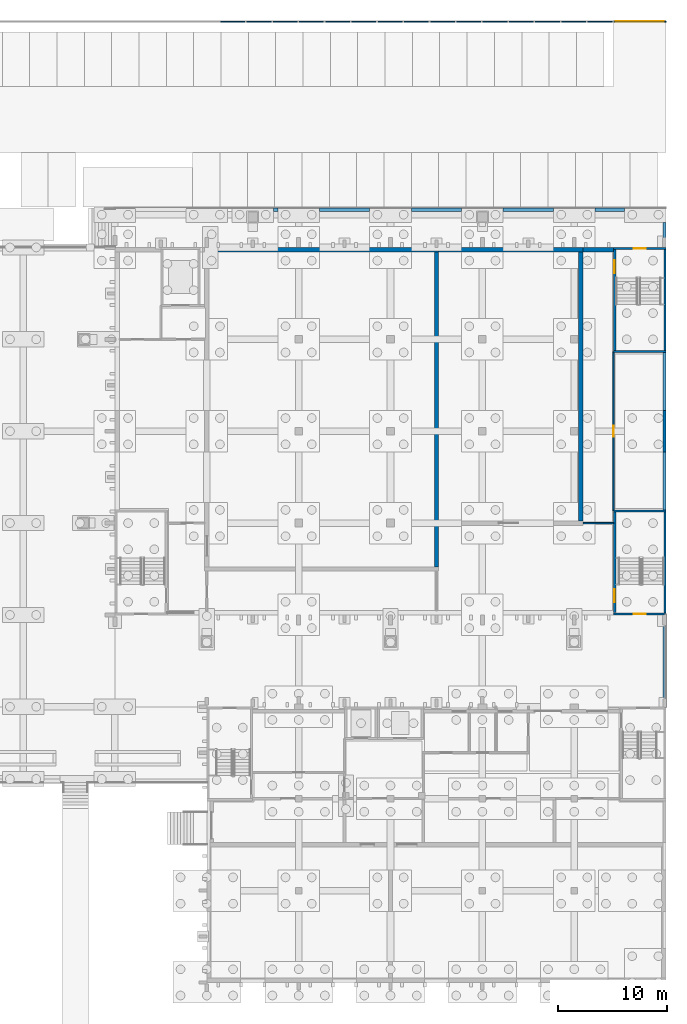
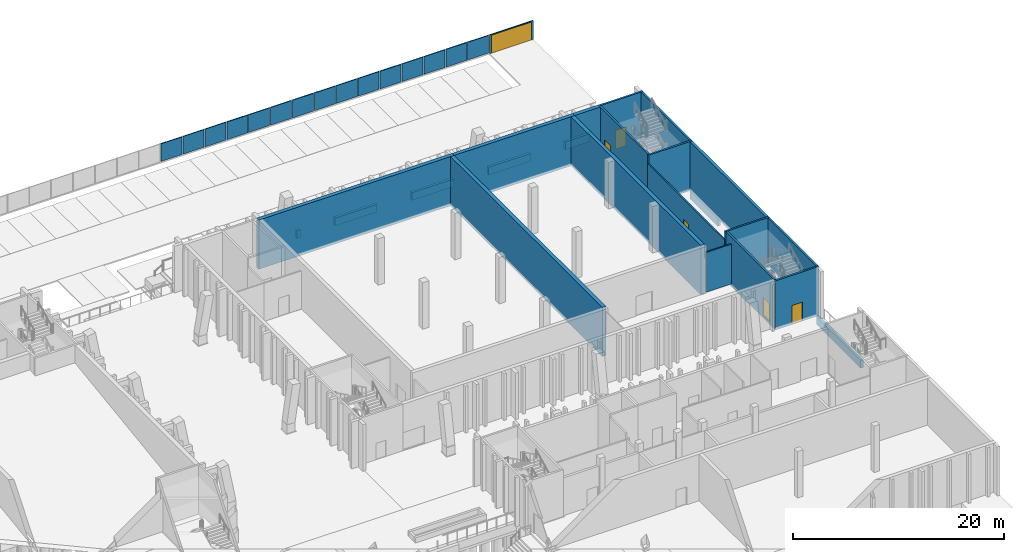
# One storey, part 57 of 129: 41 walls, 6 doors, 6 openings.
"""IFC4 building model written with IfcOpenShell, lengths in metres."""

from ifc_helpers import new_model, si_unit, direction, frame, frame_2d, origin, place, context, subcontext, project, spatial, rectangle, extrude, material, layer, layer_set, type_object, element, fill, save


model = new_model("IFC4")

# Units and contexts
model_context = context("Model", 3, precision=1e-05, world=origin(), true_north=direction((0.0, 1.0)))
body_context = subcontext(model_context, "Body", "Model", "MODEL_VIEW")
ifc_project = project(units=[si_unit("LENGTHUNIT", "METRE"), si_unit("AREAUNIT", "SQUARE_METRE"), si_unit("VOLUMEUNIT", "CUBIC_METRE"), si_unit("PLANEANGLEUNIT", "RADIAN"), si_unit("MASSUNIT", "GRAM", prefix="KILO")], contexts=[model_context])

# Site, building, storey
site_placement = place(None, origin())
site = spatial("IfcSite", under=ifc_project, at=site_placement, CompositionType="ELEMENT")
building_placement = place(site_placement, origin())
building = spatial("IfcBuilding", under=site, at=building_placement, Name="Kiln Court Media Centre", CompositionType="ELEMENT")
storey_placement = place(building_placement, origin())
storey = spatial("IfcBuildingStorey", under=building, at=storey_placement, Name="L00", CompositionType="ELEMENT", Elevation=0.0)

# Walls
ifc_material_1 = material(Name="Concrete C30/37", Category="concrete")
ifc_layer_1 = layer(ifc_material_1, 0.300048828125)
ifc_layer_set_1 = layer_set([ifc_layer_1], Name="Concrete C30/37 plinth wall 300")
wall_type_1 = type_object("IfcWallType", Name="Concrete C30/37 plinth wall 300", PredefinedType="SOLIDWALL", material=ifc_layer_set_1)
wall_1_placement = place(storey_placement, frame((167.849609375, 33.60009765625, -1.199951171875), z_axis=(0.0, 0.0, 1.0), x_axis=(0.0, -1.0, 0.0)))
element("IfcWall", 1, at=wall_1_placement, inside=storey, type_object=wall_type_1, Name="L00-W-1189", PredefinedType="SOLIDWALL", context=body_context, shape_type="SweptSolid", body=[
    extrude(rectangle(XDim=8.400146484375, YDim=0.300048828125, at=frame_2d((4.2001953125, 0.0))), origin(), (0.0, 0.0, 1.0), 0.89990234375),
])
for number, where, z_axis, x_axis, name in (
    (2, (167.849609375, 48.5, -1.199951171875), (0.0, 0.0, 1.0), (0.0, -1.0, 0.0), "L00-W-1190"),
    (3, (167.849609375, 57.60009765625, -1.199951171875), (0.0, 0.0, 1.0), (0.0, -1.0, 0.0), "L00-W-1191"),
):
    element("IfcWall", number, at=place(storey_placement, frame(where, z_axis=z_axis, x_axis=x_axis)), inside=storey, type_object=wall_type_1, Name=name, PredefinedType="SOLIDWALL", context=body_context, shape_type="SweptSolid", body=[
        extrude(rectangle(XDim=5.300048828125, YDim=0.300048828125, at=frame_2d((2.64990234375, 0.0))), origin(), (0.0, 0.0, 1.0), 0.89990234375),
    ])
wall_2_placement = place(storey_placement, frame((167.849609375, 69.5, -1.199951171875), z_axis=(0.0, 0.0, 1.0), x_axis=(0.0, -1.0, 0.0)))
element("IfcWall", 4, at=wall_2_placement, inside=storey, type_object=wall_type_1, Name="L00-W-1192", PredefinedType="SOLIDWALL", context=body_context, shape_type="SweptSolid", body=[
    extrude(rectangle(XDim=2.300048828125, YDim=0.300048828125, at=frame_2d((1.14990234375, 0.0))), origin(), (0.0, 0.0, 1.0), 0.89990234375),
])
wall_3_placement = place(storey_placement, frame((132.10009765625, 70.64990234375, -1.199951171875), z_axis=(0.0, 0.0, 1.0), x_axis=(1.0, 0.0, 0.0)))
element("IfcWall", 5, at=wall_3_placement, inside=storey, type_object=wall_type_1, Name="L00-W-1194", PredefinedType="SOLIDWALL", context=body_context, shape_type="SweptSolid", body=[
    extrude(rectangle(XDim=0.39990234375, YDim=0.300048828125, at=frame_2d((0.199951171875, 0.0))), origin(), (0.0, 0.0, 1.0), 0.89990234375),
])
wall_4_placement = place(storey_placement, frame((136.300048828125, 70.64990234375, -1.199951171875), z_axis=(0.0, 0.0, 1.0), x_axis=(1.0, 0.0, 0.0)))
element("IfcWall", 6, at=wall_4_placement, inside=storey, type_object=wall_type_1, Name="L00-W-1195", PredefinedType="SOLIDWALL", context=body_context, shape_type="SweptSolid", body=[
    extrude(rectangle(XDim=4.599853515625, YDim=0.300048828125, at=frame_2d((2.2998046875, 0.0))), origin(), (0.0, 0.0, 1.0), 0.89990234375),
])
wall_5_placement = place(storey_placement, frame((144.699951171875, 70.64990234375, -1.199951171875), z_axis=(0.0, 0.0, 1.0), x_axis=(1.0, 0.0, 0.0)))
element("IfcWall", 7, at=wall_5_placement, inside=storey, type_object=wall_type_1, Name="L00-W-1196", PredefinedType="SOLIDWALL", context=body_context, shape_type="SweptSolid", body=[
    extrude(rectangle(XDim=4.60009765625, YDim=0.300048828125, at=frame_2d((2.300048828125, 0.0))), origin(), (0.0, 0.0, 1.0), 0.89990234375),
])
wall_6_placement = place(storey_placement, frame((153.10009765625, 70.64990234375, -1.199951171875), z_axis=(0.0, 0.0, 1.0), x_axis=(1.0, 0.0, 0.0)))
element("IfcWall", 8, at=wall_6_placement, inside=storey, type_object=wall_type_1, Name="L00-W-1197", PredefinedType="SOLIDWALL", context=body_context, shape_type="SweptSolid", body=[
    extrude(rectangle(XDim=4.599853515625, YDim=0.300048828125, at=frame_2d((2.2998046875, 0.0))), origin(), (0.0, 0.0, 1.0), 0.89990234375),
])
wall_7_placement = place(storey_placement, frame((161.5, 70.64990234375, -1.199951171875), z_axis=(0.0, 0.0, 1.0), x_axis=(1.0, 0.0, 0.0)))
element("IfcWall", 9, at=wall_7_placement, inside=storey, type_object=wall_type_1, Name="L00-W-1198", PredefinedType="SOLIDWALL", context=body_context, shape_type="SweptSolid", body=[
    extrude(rectangle(XDim=2.699951171875, YDim=0.300048828125, at=frame_2d((1.35009765625, 0.0))), origin(), (0.0, 0.0, 1.0), 0.89990234375),
])
ifc_material_2 = material(Name="Concrete C40/50", Category="concrete")
ifc_layer_2 = layer(ifc_material_2, 0.39990234375)
ifc_layer_set_2 = layer_set([ifc_layer_2], Name="Concrete C40/50 auditorium wall 400")
wall_type_2 = type_object("IfcWallType", Name="Concrete C40/50 auditorium wall 400", PredefinedType="SHEAR", material=ifc_layer_set_2)
wall_8_placement = place(storey_placement, frame((160.39990234375, 67.0, -0.300048828125), z_axis=(0.0, 0.0, 1.0), x_axis=(1.0, 0.0, 0.0)))
element("IfcWall", 10, at=wall_8_placement, inside=storey, type_object=wall_type_2, Name="L00-W-1145", PredefinedType="SHEAR", context=body_context, shape_type="SweptSolid", body=[
    extrude(rectangle(XDim=2.800048828125, YDim=0.39990234375, at=frame_2d((1.39990234375, 0.0))), origin(), (0.0, 0.0, 1.0), 5.699951171875),
])
ifc_material_3 = material(Name="Concrete C40/50", Category="concrete")
ifc_layer_3 = layer(ifc_material_3, 0.300048828125)
ifc_layer_set_3 = layer_set([ifc_layer_3], Name="Concrete C40/50 party wall 300")
wall_type_3 = type_object("IfcWallType", Name="Concrete C40/50 party wall 300", PredefinedType="SOLIDWALL", material=ifc_layer_set_3)
wall_9_placement = place(storey_placement, frame((167.849609375, 57.60009765625, -0.300048828125), z_axis=(0.0, 0.0, 1.0), x_axis=(0.0, -1.0, 0.0)))
element("IfcWall", 11, at=wall_9_placement, inside=storey, type_object=wall_type_3, Name="L00-W-1139", PredefinedType="SOLIDWALL", context=body_context, shape_type="SweptSolid", body=[
    extrude(rectangle(XDim=14.400146484375, YDim=0.300048828125, at=frame_2d((7.2001953125, 0.0))), origin(), (0.0, 0.0, 1.0), 5.699951171875),
])

# Wall, opening, door
ifc_material_4 = material(Name="Concrete C40/50", Category="concrete")
ifc_layer_4 = layer(ifc_material_4, 0.199951171875)
ifc_layer_set_4 = layer_set([ifc_layer_4], Name="Concrete C40/50 shear wall 200")
wall_type_4 = type_object("IfcWallType", Name="Concrete C40/50 shear wall 200", PredefinedType="SHEAR", material=ifc_layer_set_4)
wall_10_placement = place(storey_placement, frame((167.99951171875, 33.699951171875, -0.300048828125), z_axis=(0.0, 0.0, 1.0), x_axis=(-1.0, 0.0, 0.0)))
wall_10 = element("IfcWall", 12, at=wall_10_placement, inside=storey, type_object=wall_type_4, Name="L00-W-1052", PredefinedType="SHEAR", context=body_context, shape_type="SweptSolid", body=[
    extrude(rectangle(XDim=4.799560546875, YDim=0.199951171875, at=frame_2d((2.39990234375, 0.0))), origin(), (0.0, 0.0, 1.0), 5.699951171875),
])
opening_1_placement = place(wall_10_placement, frame((1.849609375, 0.0, 0.0)))
opening_1 = element("IfcOpeningElement", 13, at=opening_1_placement, cuts=wall_10, Name="Opening D0768", PredefinedType="OPENING", context=body_context, shape_type="SweptSolid", body=[
    extrude(rectangle(XDim=1.10009765625, YDim=2.199951171875, at=frame_2d((0.550048828125, 1.10009765625))), frame((0.0, 0.10986328125, 0.0), z_axis=(0.0, -1.0, 0.0), x_axis=(1.0, 0.0, 0.0)), (0.0, 0.0, 1.0), 0.219970703125),
])
ifc_material_5 = material(Name="Steel ASTM A572 Gr 50", Category="steel")
door_type_1 = type_object("IfcDoorType", Name="Steel hall exit door 1100x2200", OperationType="SINGLE_SWING_LEFT", PredefinedType="DOOR", material=ifc_material_5)
door_1_placement = place(opening_1_placement, origin())
door_1 = element("IfcDoor", 14, at=door_1_placement, inside=storey, type_object=door_type_1, Name="ST-14 exit door", OperationType="SLIDING_TO_LEFT", OverallHeight=2.199951171875, OverallWidth=1.10009765625, PredefinedType="DOOR", context=body_context, shape_type="SweptSolid", body=[
    extrude(rectangle(XDim=1.10009765625, YDim=2.199951171875, at=frame_2d((0.550048828125, 1.10009765625))), frame((0.0, 0.02490234375, 0.0), z_axis=(0.0, -1.0, 0.0), x_axis=(1.0, 0.0, 0.0)), (0.0, 0.0, 1.0), 0.050048828125),
])
fill(opening_1, door_1)

# Wall
wall_11_placement = place(storey_placement, frame((163.199951171875, 43.10009765625, -0.300048828125), z_axis=(0.0, 0.0, 1.0), x_axis=(1.0, 0.0, 0.0)))
element("IfcWall", 15, at=wall_11_placement, inside=storey, type_object=wall_type_4, Name="L00-W-1053", PredefinedType="SHEAR", context=body_context, shape_type="SweptSolid", body=[
    extrude(rectangle(XDim=4.799560546875, YDim=0.199951171875, at=frame_2d((2.39990234375, 0.0))), origin(), (0.0, 0.0, 1.0), 5.699951171875),
])

# Wall, opening, door
wall_12_placement = place(storey_placement, frame((163.300048828125, 33.800048828125, -0.300048828125), z_axis=(0.0, 0.0, 1.0), x_axis=(0.0, 1.0, 0.0)))
wall_12 = element("IfcWall", 16, at=wall_12_placement, inside=storey, type_object=wall_type_4, Name="L00-W-1054", PredefinedType="SHEAR", context=body_context, shape_type="SweptSolid", body=[
    extrude(rectangle(XDim=9.199951171875, YDim=0.199951171875, at=frame_2d((4.60009765625, 0.0))), origin(), (0.0, 0.0, 1.0), 5.699951171875),
])
opening_2_placement = place(wall_12_placement, frame((0.949951171875, 0.0, 0.300048828125)))
opening_2 = element("IfcOpeningElement", 17, at=opening_2_placement, cuts=wall_12, Name="Opening D0008", PredefinedType="OPENING", context=body_context, shape_type="SweptSolid", body=[
    extrude(rectangle(XDim=1.199951171875, YDim=2.10009765625, at=frame_2d((0.60009765625, 1.050048828125))), frame((0.0, 0.10986328125, 0.0), z_axis=(0.0, -1.0, 0.0), x_axis=(1.0, 0.0, 0.0)), (0.0, 0.0, 1.0), 0.219970703125),
])
ifc_material_6 = material(Name="Steel S275", Category="steel")
door_type_2 = type_object("IfcDoorType", Name="Steel stair door 1200 x 2100 FD180", OperationType="SINGLE_SWING_LEFT", PredefinedType="DOOR", material=ifc_material_6)
door_2_placement = place(opening_2_placement, origin())
door_2 = element("IfcDoor", 18, at=door_2_placement, inside=storey, type_object=door_type_2, Name="Studio B Sound Lock and Green Room / Stair 14", OperationType="SINGLE_SWING_LEFT", OverallHeight=2.10009765625, OverallWidth=1.199951171875, PredefinedType="DOOR", context=body_context, shape_type="SweptSolid", body=[
    extrude(rectangle(XDim=1.199951171875, YDim=2.10009765625, at=frame_2d((0.60009765625, 1.050048828125))), frame((0.0, 0.02490234375, 0.0), z_axis=(0.0, -1.0, 0.0), x_axis=(1.0, 0.0, 0.0)), (0.0, 0.0, 1.0), 0.050048828125),
])
fill(opening_2, door_2)

# Walls
wall_13_placement = place(storey_placement, frame((167.899658203125, 43.0, -0.300048828125), z_axis=(0.0, 0.0, 1.0), x_axis=(0.0, -1.0, 0.0)))
element("IfcWall", 19, at=wall_13_placement, inside=storey, type_object=wall_type_4, Name="L00-W-1055", PredefinedType="SHEAR", context=body_context, shape_type="SweptSolid", body=[
    extrude(rectangle(XDim=9.199951171875, YDim=0.199951171875, at=frame_2d((4.60009765625, 0.0))), origin(), (0.0, 0.0, 1.0), 5.699951171875),
])
wall_14_placement = place(storey_placement, frame((167.99951171875, 57.699951171875, -0.300048828125), z_axis=(0.0, 0.0, 1.0), x_axis=(-1.0, 0.0, 0.0)))
element("IfcWall", 20, at=wall_14_placement, inside=storey, type_object=wall_type_4, Name="L00-W-1056", PredefinedType="SHEAR", context=body_context, shape_type="SweptSolid", body=[
    extrude(rectangle(XDim=4.799560546875, YDim=0.199951171875, at=frame_2d((2.39990234375, 0.0))), origin(), (0.0, 0.0, 1.0), 5.699951171875),
])

# Wall, opening, door
wall_15_placement = place(storey_placement, frame((163.199951171875, 67.10009765625, -0.300048828125), z_axis=(0.0, 0.0, 1.0), x_axis=(1.0, 0.0, 0.0)))
wall_15 = element("IfcWall", 21, at=wall_15_placement, inside=storey, type_object=wall_type_4, Name="L00-W-1057", PredefinedType="SHEAR", context=body_context, shape_type="SweptSolid", body=[
    extrude(rectangle(XDim=4.799560546875, YDim=0.199951171875, at=frame_2d((2.39990234375, 0.0))), origin(), (0.0, 0.0, 1.0), 5.699951171875),
])
opening_3_placement = place(wall_15_placement, frame((1.85009765625, 0.0, 0.0)))
opening_3 = element("IfcOpeningElement", 22, at=opening_3_placement, cuts=wall_15, Name="Opening D0770", PredefinedType="OPENING", context=body_context, shape_type="SweptSolid", body=[
    extrude(rectangle(XDim=1.10009765625, YDim=2.199951171875, at=frame_2d((0.550048828125, 1.10009765625))), frame((0.0, 0.10986328125, 0.0), z_axis=(0.0, -1.0, 0.0), x_axis=(1.0, 0.0, 0.0)), (0.0, 0.0, 1.0), 0.219970703125),
])
door_3_placement = place(opening_3_placement, origin())
door_3 = element("IfcDoor", 23, at=door_3_placement, inside=storey, type_object=door_type_1, Name="ST-15 exit door", OperationType="SLIDING_TO_LEFT", OverallHeight=2.199951171875, OverallWidth=1.10009765625, PredefinedType="DOOR", context=body_context, shape_type="SweptSolid", body=[
    extrude(rectangle(XDim=1.10009765625, YDim=2.199951171875, at=frame_2d((0.550048828125, 1.10009765625))), frame((0.0, 0.02490234375, 0.0), z_axis=(0.0, -1.0, 0.0), x_axis=(1.0, 0.0, 0.0)), (0.0, 0.0, 1.0), 0.050048828125),
])
fill(opening_3, door_3)

wall_16_placement = place(storey_placement, frame((163.300048828125, 57.800048828125, -0.300048828125), z_axis=(0.0, 0.0, 1.0), x_axis=(0.0, 1.0, 0.0)))
wall_16 = element("IfcWall", 24, at=wall_16_placement, inside=storey, type_object=wall_type_4, Name="L00-W-1058", PredefinedType="SHEAR", context=body_context, shape_type="SweptSolid", body=[
    extrude(rectangle(XDim=9.199951171875, YDim=0.199951171875, at=frame_2d((4.60009765625, 0.0))), origin(), (0.0, 0.0, 1.0), 5.699951171875),
])
opening_4_placement = place(wall_16_placement, frame((7.050048828125, 0.0, 0.300048828125)))
opening_4 = element("IfcOpeningElement", 25, at=opening_4_placement, cuts=wall_16, Name="Opening D0009", PredefinedType="OPENING", context=body_context, shape_type="SweptSolid", body=[
    extrude(rectangle(XDim=1.199951171875, YDim=2.10009765625, at=frame_2d((0.60009765625, 1.050048828125))), frame((0.0, 0.10986328125, 0.0), z_axis=(0.0, -1.0, 0.0), x_axis=(1.0, 0.0, 0.0)), (0.0, 0.0, 1.0), 0.219970703125),
])
door_4_placement = place(opening_4_placement, origin())
door_4 = element("IfcDoor", 26, at=door_4_placement, inside=storey, type_object=door_type_2, Name="Studio B Corridor / Stair 15", OperationType="SINGLE_SWING_RIGHT", OverallHeight=2.10009765625, OverallWidth=1.199951171875, PredefinedType="DOOR", context=body_context, shape_type="SweptSolid", body=[
    extrude(rectangle(XDim=1.199951171875, YDim=2.10009765625, at=frame_2d((0.60009765625, 1.050048828125))), frame((0.0, 0.02490234375, 0.0), z_axis=(0.0, -1.0, 0.0), x_axis=(1.0, 0.0, 0.0)), (0.0, 0.0, 1.0), 0.050048828125),
])
fill(opening_4, door_4)

# Walls
wall_17_placement = place(storey_placement, frame((167.899658203125, 67.0, -0.300048828125), z_axis=(0.0, 0.0, 1.0), x_axis=(0.0, -1.0, 0.0)))
element("IfcWall", 27, at=wall_17_placement, inside=storey, type_object=wall_type_4, Name="L00-W-1059", PredefinedType="SHEAR", context=body_context, shape_type="SweptSolid", body=[
    extrude(rectangle(XDim=9.199951171875, YDim=0.199951171875, at=frame_2d((4.60009765625, 0.0))), origin(), (0.0, 0.0, 1.0), 5.699951171875),
])
ifc_material_7 = material(Name="Concrete C40/50", Category="concrete")
ifc_layer_5 = layer(ifc_material_7, 0.39990234375)
ifc_layer_set_5 = layer_set([ifc_layer_5], Name="Concrete C40/50 studio wall 400")
wall_type_5 = type_object("IfcWallType", Name="Concrete C40/50 studio wall 400", PredefinedType="SHEAR", material=ifc_layer_set_5)
wall_18_placement = place(storey_placement, frame((125.800048828125, 67.0, -0.300048828125), z_axis=(0.0, 0.0, 1.0), x_axis=(1.0, 0.0, 0.0)))
element("IfcWall", 28, at=wall_18_placement, inside=storey, type_object=wall_type_5, Name="L00-W-1126", PredefinedType="SHEAR", context=body_context, shape_type="SweptSolid", body=[
    extrude(rectangle(XDim=21.39990234375, YDim=0.39990234375, at=frame_2d((10.699951171875, 0.0))), origin(), (0.0, 0.0, 1.0), 5.699951171875),
])
wall_19_placement = place(storey_placement, frame((147.0, 66.800048828125, -0.300048828125), z_axis=(0.0, 0.0, 1.0), x_axis=(0.0, -1.0, 0.0)))
element("IfcWall", 29, at=wall_19_placement, inside=storey, type_object=wall_type_5, Name="L00-W-1128", PredefinedType="SHEAR", context=body_context, shape_type="SweptSolid", body=[
    extrude(rectangle(XDim=28.800048828125, YDim=0.39990234375, at=frame_2d((14.39990234375, 0.0))), origin(), (0.0, 0.0, 1.0), 5.699951171875),
])
wall_20_placement = place(storey_placement, frame((147.199951171875, 67.0, -0.300048828125), z_axis=(0.0, 0.0, 1.0), x_axis=(1.0, 0.0, 0.0)))
element("IfcWall", 30, at=wall_20_placement, inside=storey, type_object=wall_type_5, Name="L00-W-1130", PredefinedType="SHEAR", context=body_context, shape_type="SweptSolid", body=[
    extrude(rectangle(XDim=13.199951171875, YDim=0.39990234375, at=frame_2d((6.60009765625, 0.0))), origin(), (0.0, 0.0, 1.0), 5.699951171875),
])
wall_21_placement = place(storey_placement, frame((160.199951171875, 66.800048828125, -0.300048828125), z_axis=(0.0, 0.0, 1.0), x_axis=(0.0, -1.0, 0.0)))
element("IfcWall", 31, at=wall_21_placement, inside=storey, type_object=wall_type_5, Name="L00-W-1131", PredefinedType="SHEAR", context=body_context, shape_type="SweptSolid", body=[
    extrude(rectangle(XDim=24.60009765625, YDim=0.39990234375, at=frame_2d((12.300048828125, 0.0))), origin(), (0.0, 0.0, 1.0), 5.699951171875),
])
ifc_material_8 = material(Name="Gypsum plasterboard", Category="gypsum")
ifc_layer_6 = layer(ifc_material_8, 0.14990234375)
ifc_layer_set_6 = layer_set([ifc_layer_6], Name="Gypsum corridor partition 150 EI 60")
wall_type_6 = type_object("IfcWallType", Name="Gypsum corridor partition 150 EI 60", PredefinedType="PARTITIONING", material=ifc_layer_set_6)
wall_22_placement = place(storey_placement, frame((160.39990234375, 42.0, 0.0), z_axis=(0.0, 0.0, 1.0), x_axis=(1.0, 0.0, 0.0)))
element("IfcWall", 32, at=wall_22_placement, inside=storey, type_object=wall_type_6, Name="L00 gypsum corridor partition", PredefinedType="PARTITIONING", context=body_context, shape_type="SweptSolid", body=[
    extrude(rectangle(XDim=2.800048828125, YDim=0.14990234375, at=frame_2d((1.39990234375, 0.0))), origin(), (0.0, 0.0, 1.0), 4.60009765625),
])

# Wall, opening, door
wall_23_placement = place(storey_placement, frame((163.199951171875, 43.125, 0.0), z_axis=(0.0, 0.0, 1.0), x_axis=(0.0, 1.0, 0.0)))
wall_23 = element("IfcWall", 33, at=wall_23_placement, inside=storey, type_object=wall_type_6, Name="L00 gypsum corridor partition", PredefinedType="PARTITIONING", context=body_context, shape_type="SweptSolid", body=[
    extrude(rectangle(XDim=14.550048828125, YDim=0.14990234375, at=frame_2d((7.27490234375, 0.0))), origin(), (0.0, 0.0, 1.0), 4.39990234375),
])
opening_5_placement = place(wall_23_placement, frame((6.77490234375, 0.0, 0.0)))
opening_5 = element("IfcOpeningElement", 34, at=opening_5_placement, cuts=wall_23, Name="Opening D0036", PredefinedType="OPENING", context=body_context, shape_type="SweptSolid", body=[
    extrude(rectangle(XDim=1.0, YDim=2.10009765625, at=frame_2d((0.5, 1.050048828125))), frame((0.0, 0.0849609375, 0.0), z_axis=(0.0, -1.0, 0.0), x_axis=(1.0, 0.0, 0.0)), (0.0, 0.0, 1.0), 0.169921875),
])
ifc_material_9 = material(Name="Steel S275", Category="steel")
door_type_3 = type_object("IfcDoorType", Name="Steel corridor door 1000 x 2100 FD30S", OperationType="SINGLE_SWING_LEFT", PredefinedType="DOOR", material=ifc_material_9)
door_5_placement = place(opening_5_placement, origin())
door_5 = element("IfcDoor", 35, at=door_5_placement, inside=storey, type_object=door_type_3, Name="Studio B Corridor / Dressing Rooms", OperationType="SINGLE_SWING_RIGHT", OverallHeight=2.10009765625, OverallWidth=1.0, PredefinedType="DOOR", context=body_context, shape_type="SweptSolid", body=[
    extrude(rectangle(XDim=1.0, YDim=2.10009765625, at=frame_2d((0.5, 1.050048828125))), frame((0.0, 0.02490234375, 0.0), z_axis=(0.0, -1.0, 0.0), x_axis=(1.0, 0.0, 0.0)), (0.0, 0.0, 1.0), 0.050048828125),
])
fill(opening_5, door_5)

# Walls
ifc_material_10 = material(Name="Steel ASTM A572 Gr 50", Category="steel")
ifc_layer_7 = layer(ifc_material_10, 0.10009765625)
ifc_layer_set_7 = layer_set([ifc_layer_7], Name="Steel ASTM A572 Gr 50 palisade fence panel 100")
wall_type_7 = type_object("IfcWallType", Name="Steel ASTM A572 Gr 50 palisade fence panel 100", PredefinedType="SOLIDWALL", material=ifc_layer_set_7)
wall_24_placement = place(storey_placement, frame((127.222900390625, 87.85009765625, -1.050048828125), z_axis=(0.0, 0.0, 1.0), x_axis=(1.0, 0.0, 0.0)))
element("IfcWall", 36, at=wall_24_placement, inside=storey, type_object=wall_type_7, Name="Boundary palisade fence panel 52", PredefinedType="SOLIDWALL", context=body_context, shape_type="SweptSolid", body=[
    extrude(rectangle(XDim=2.29833984375, YDim=0.10009765625, at=frame_2d((1.149169921875, 0.0))), origin(), (0.0, 0.0, 1.0), 2.050048828125),
])
for number, where, z_axis, x_axis, name in (
    (37, (129.621337890625, 87.85009765625, -1.050048828125), (0.0, 0.0, 1.0), (1.0, 0.0, 0.0), "Boundary palisade fence panel 53"),
    (38, (132.019775390625, 87.85009765625, -1.050048828125), (0.0, 0.0, 1.0), (1.0, 0.0, 0.0), "Boundary palisade fence panel 54"),
    (39, (134.418212890625, 87.85009765625, -1.050048828125), (0.0, 0.0, 1.0), (1.0, 0.0, 0.0), "Boundary palisade fence panel 55"),
):
    element("IfcWall", number, at=place(storey_placement, frame(where, z_axis=z_axis, x_axis=x_axis)), inside=storey, type_object=wall_type_7, Name=name, PredefinedType="SOLIDWALL", context=body_context, shape_type="SweptSolid", body=[
        extrude(rectangle(XDim=2.298583984375, YDim=0.10009765625, at=frame_2d((1.1494140625, 0.0))), origin(), (0.0, 0.0, 1.0), 2.050048828125),
    ])
wall_25_placement = place(storey_placement, frame((136.81689453125, 87.85009765625, -1.050048828125), z_axis=(0.0, 0.0, 1.0), x_axis=(1.0, 0.0, 0.0)))
element("IfcWall", 40, at=wall_25_placement, inside=storey, type_object=wall_type_7, Name="Boundary palisade fence panel 56", PredefinedType="SOLIDWALL", context=body_context, shape_type="SweptSolid", body=[
    extrude(rectangle(XDim=2.29833984375, YDim=0.10009765625, at=frame_2d((1.149169921875, 0.0))), origin(), (0.0, 0.0, 1.0), 2.050048828125),
])
for number, where, z_axis, x_axis, name in (
    (41, (139.21533203125, 87.85009765625, -1.050048828125), (0.0, 0.0, 1.0), (1.0, 0.0, 0.0), "Boundary palisade fence panel 57"),
    (42, (141.61376953125, 87.85009765625, -1.050048828125), (0.0, 0.0, 1.0), (1.0, 0.0, 0.0), "Boundary palisade fence panel 58"),
    (43, (144.01220703125, 87.85009765625, -1.050048828125), (0.0, 0.0, 1.0), (1.0, 0.0, 0.0), "Boundary palisade fence panel 59"),
):
    element("IfcWall", number, at=place(storey_placement, frame(where, z_axis=z_axis, x_axis=x_axis)), inside=storey, type_object=wall_type_7, Name=name, PredefinedType="SOLIDWALL", context=body_context, shape_type="SweptSolid", body=[
        extrude(rectangle(XDim=2.298583984375, YDim=0.10009765625, at=frame_2d((1.1494140625, 0.0))), origin(), (0.0, 0.0, 1.0), 2.050048828125),
    ])
for number, where, z_axis, x_axis, name in (
    (44, (146.410888671875, 87.85009765625, -1.050048828125), (0.0, 0.0, 1.0), (1.0, 0.0, 0.0), "Boundary palisade fence panel 60"),
    (45, (148.809326171875, 87.85009765625, -1.050048828125), (0.0, 0.0, 1.0), (1.0, 0.0, 0.0), "Boundary palisade fence panel 61"),
    (46, (151.207763671875, 87.85009765625, -1.050048828125), (0.0, 0.0, 1.0), (1.0, 0.0, 0.0), "Boundary palisade fence panel 62"),
):
    element("IfcWall", number, at=place(storey_placement, frame(where, z_axis=z_axis, x_axis=x_axis)), inside=storey, type_object=wall_type_7, Name=name, PredefinedType="SOLIDWALL", context=body_context, shape_type="SweptSolid", body=[
        extrude(rectangle(XDim=2.29833984375, YDim=0.10009765625, at=frame_2d((1.149169921875, 0.0))), origin(), (0.0, 0.0, 1.0), 2.050048828125),
    ])
for number, where, z_axis, x_axis, name in (
    (47, (153.606201171875, 87.85009765625, -1.050048828125), (0.0, 0.0, 1.0), (1.0, 0.0, 0.0), "Boundary palisade fence panel 63"),
    (48, (156.004638671875, 87.85009765625, -1.050048828125), (0.0, 0.0, 1.0), (1.0, 0.0, 0.0), "Boundary palisade fence panel 64"),
):
    element("IfcWall", number, at=place(storey_placement, frame(where, z_axis=z_axis, x_axis=x_axis)), inside=storey, type_object=wall_type_7, Name=name, PredefinedType="SOLIDWALL", context=body_context, shape_type="SweptSolid", body=[
        extrude(rectangle(XDim=2.298583984375, YDim=0.10009765625, at=frame_2d((1.1494140625, 0.0))), origin(), (0.0, 0.0, 1.0), 2.050048828125),
    ])
for number, where, z_axis, x_axis, name in (
    (49, (158.4033203125, 87.85009765625, -1.050048828125), (0.0, 0.0, 1.0), (1.0, 0.0, 0.0), "Boundary palisade fence panel 65"),
    (50, (160.8017578125, 87.85009765625, -1.050048828125), (0.0, 0.0, 1.0), (1.0, 0.0, 0.0), "Boundary palisade fence panel 66"),
):
    element("IfcWall", number, at=place(storey_placement, frame(where, z_axis=z_axis, x_axis=x_axis)), inside=storey, type_object=wall_type_7, Name=name, PredefinedType="SOLIDWALL", context=body_context, shape_type="SweptSolid", body=[
        extrude(rectangle(XDim=2.29833984375, YDim=0.10009765625, at=frame_2d((1.149169921875, 0.0))), origin(), (0.0, 0.0, 1.0), 2.050048828125),
    ])

# Wall, opening, door
ifc_material_11 = material(Name="Steel ASTM A572 Gr 50", Category="steel")
ifc_layer_8 = layer(ifc_material_11, 0.10009765625)
ifc_layer_set_8 = layer_set([ifc_layer_8], Name="Steel ASTM A572 Gr 50 palisade gate panel 100")
wall_type_8 = type_object("IfcWallType", Name="Steel ASTM A572 Gr 50 palisade gate panel 100", PredefinedType="SOLIDWALL", material=ifc_layer_set_8)
wall_26_placement = place(storey_placement, frame((163.2001953125, 87.85009765625, -1.199951171875), z_axis=(0.0, 0.0, 1.0), x_axis=(1.0, 0.0, 0.0)))
wall_26 = element("IfcWall", 51, at=wall_26_placement, inside=storey, type_object=wall_type_8, Name="G-2 gate panel", PredefinedType="SOLIDWALL", context=body_context, shape_type="SweptSolid", body=[
    extrude(rectangle(XDim=4.7998046875, YDim=0.10009765625, at=frame_2d((2.39990234375, 0.0))), origin(), (0.0, 0.0, 1.0), 2.199951171875),
])
opening_6_placement = place(wall_26_placement, frame((0.199951171875, 0.0, 0.0)))
opening_6 = element("IfcOpeningElement", 52, at=opening_6_placement, cuts=wall_26, Name="Opening D0784", PredefinedType="OPENING", context=body_context, shape_type="SweptSolid", body=[
    extrude(rectangle(XDim=4.39990234375, YDim=2.10009765625, at=frame_2d((2.199951171875, 1.050048828125))), frame((0.0, 0.06005859375, 0.0), z_axis=(0.0, -1.0, 0.0), x_axis=(1.0, 0.0, 0.0)), (0.0, 0.0, 1.0), 0.1201171875),
])
ifc_material_12 = material(Name="Steel ASTM A572 Gr 50", Category="steel")
door_type_4 = type_object("IfcDoorType", Name="Steel sliding vehicle gate 4400x2100", OperationType="NOTDEFINED", PredefinedType="GATE", material=ifc_material_12)
door_6_placement = place(opening_6_placement, origin())
door_6 = element("IfcDoor", 53, at=door_6_placement, inside=storey, type_object=door_type_4, Name="G-2 vehicle gate", OperationType="SLIDING_TO_RIGHT", OverallHeight=2.10009765625, OverallWidth=4.39990234375, PredefinedType="GATE", context=body_context, shape_type="SweptSolid", body=[
    extrude(rectangle(XDim=4.39990234375, YDim=2.10009765625, at=frame_2d((2.199951171875, 1.050048828125))), frame((0.0, 0.02490234375, 0.0), z_axis=(0.0, -1.0, 0.0), x_axis=(1.0, 0.0, 0.0)), (0.0, 0.0, 1.0), 0.050048828125),
])
fill(opening_6, door_6)

save(model, "model.ifc")
